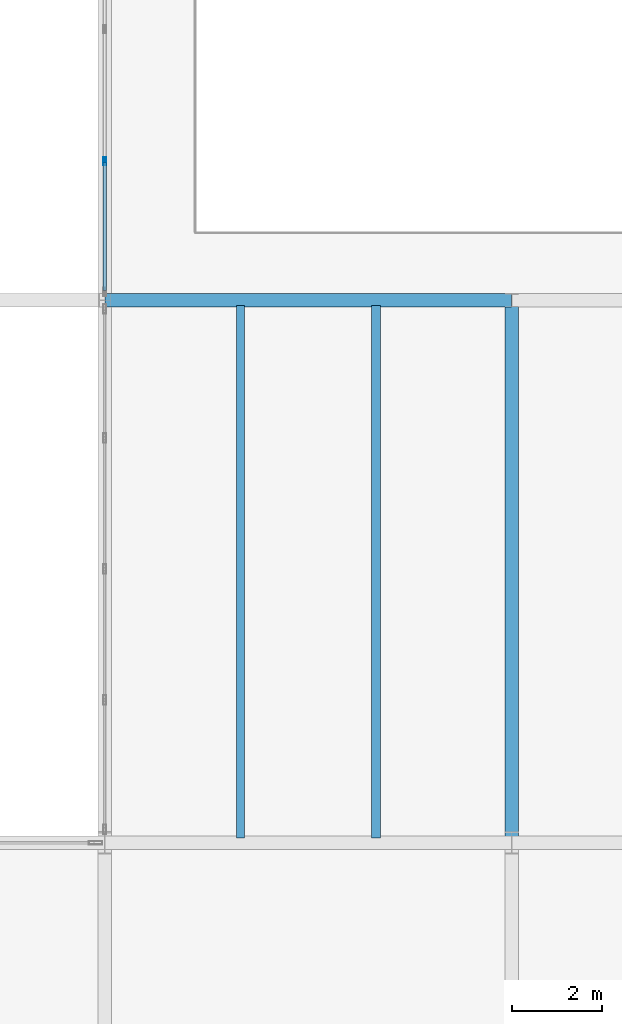
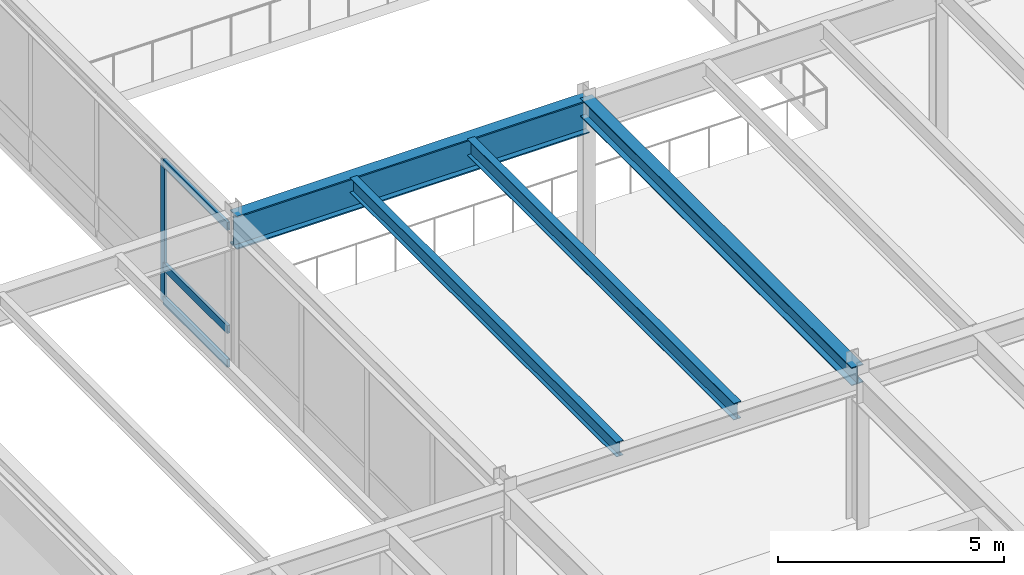
# One storey, part 32 of 127: 4 beams, 4 members, 1 element without a shape of its own.
"""IFC4 building model written with IfcOpenShell, lengths in metres."""

import ifcopenshell
import ifcopenshell.guid

model = None  # the IFC model being written
_history = None  # IfcOwnerHistory: only IFC2X3 demands one
_inside = {}  # id of a spatial element -> (the spatial element, [elements in it])
_under = {}  # id of a project, library or spatial element -> (it, [spatial elements below it])
_declared = {}  # id of a project -> (the project, [libraries it declares])
_typed = {}  # id of a type object -> (the type object, [elements of that type])
_made_of = {}  # id of a material, layer set ... -> (it, [elements and type objects made of it])


def new_model(schema):
    """Start an empty IFC model of exactly this schema.

    Asked for "IFC4X3", IfcOpenShell would pick the latest addendum, in which some entities
    have other attributes; the version numbers below select the first issue.
    IFC2X3 requires an IfcOwnerHistory on every rooted entity: one is made here for all.
    """
    global model, _history
    if schema == "IFC4X3":
        model = ifcopenshell.file(schema_version=(4, 3, 0, 0))
    else:
        model = ifcopenshell.file(schema=schema)
    _inside.clear()
    _under.clear()
    _declared.clear()
    _typed.clear()
    _made_of.clear()
    _history = None
    if model.schema == "IFC2X3":
        org = make("IfcOrganization", Name="unknown")
        user = make(
            "IfcPersonAndOrganization",
            ThePerson=make("IfcPerson", FamilyName="unknown"),
            TheOrganization=org,
        )
        app = make(
            "IfcApplication",
            ApplicationDeveloper=org,
            Version="unknown",
            ApplicationFullName="unknown",
            ApplicationIdentifier="unknown",
        )
        _history = make(
            "IfcOwnerHistory",
            OwningUser=user,
            OwningApplication=app,
            ChangeAction="ADDED",
            CreationDate=0,
        )
    return model


def make(cls, **values):
    """One entity of the class cls with the attributes given. An attribute that is None is left unset."""
    return model.create_entity(
        cls, **{name: value for name, value in values.items() if value is not None}
    )


def rooted(cls, **values):
    """An entity with a GlobalId (a new one), such as an element, a storey or a relation."""
    return make(cls, GlobalId=ifcopenshell.guid.new(), OwnerHistory=_history, **values)


def si_unit(unit_type, name, prefix=None):
    """IfcSIUnit, for example si_unit("LENGTHUNIT", "METRE", prefix="MILLI")."""
    return make("IfcSIUnit", UnitType=unit_type, Prefix=prefix, Name=name)


def assignment(units):
    """IfcUnitAssignment: the units of a project."""
    return None if units is None else make("IfcUnitAssignment", Units=units)


def point(xyz):
    """IfcCartesianPoint."""
    return None if xyz is None else make("IfcCartesianPoint", Coordinates=xyz)


def direction(xyz):
    """IfcDirection."""
    return None if xyz is None else make("IfcDirection", DirectionRatios=xyz)


def frame(location, z_axis=None, x_axis=None):
    """IfcAxis2Placement3D, a coordinate frame: its origin and axes. An axis left out is left unset."""
    return make(
        "IfcAxis2Placement3D",
        Location=point(location),
        Axis=direction(z_axis),
        RefDirection=direction(x_axis),
    )


def frame_2d(location, x_axis=None):
    """IfcAxis2Placement2D, a coordinate frame in the plane: its origin and x axis."""
    return make(
        "IfcAxis2Placement2D", Location=point(location), RefDirection=direction(x_axis)
    )


def origin():
    """The frame at (0, 0, 0) with its axes left unset."""
    return frame((0.0, 0.0, 0.0))


def origin_2d():
    """The frame at (0, 0) in the plane with its x axis left unset."""
    return frame_2d((0.0, 0.0))


def place(relative_to, where):
    """IfcLocalPlacement: puts the frame where relative to a parent placement (None: the world)."""
    return make(
        "IfcLocalPlacement", PlacementRelTo=relative_to, RelativePlacement=where
    )


def context(
    kind, dimensions, precision=None, world=None, true_north=None, identifier=None
):
    """IfcGeometricRepresentationContext, for example the 3D "Model" context."""
    return make(
        "IfcGeometricRepresentationContext",
        ContextIdentifier=identifier,
        ContextType=kind,
        CoordinateSpaceDimension=dimensions,
        Precision=precision,
        WorldCoordinateSystem=world,
        TrueNorth=true_north,
    )


def subcontext(parent, identifier, kind, view, scale=None):
    """IfcGeometricRepresentationSubContext, for example "Body" below "Model"."""
    return make(
        "IfcGeometricRepresentationSubContext",
        ContextIdentifier=identifier,
        ContextType=kind,
        ParentContext=parent,
        TargetScale=scale,
        TargetView=view,
    )


def project(units=None, contexts=None):
    """IfcProject with its units and contexts."""
    return rooted(
        "IfcProject",
        Name="project",
        RepresentationContexts=contexts,
        UnitsInContext=assignment(units),
    )


def spatial(cls, under=None, at=None, **own):
    """A site, building, storey or space (cls), placed at a placement, below another one or the project."""
    s = rooted(cls, ObjectPlacement=at, **own)
    if under is not None:
        _under.setdefault(under.id(), (under, []))[1].append(s)
    return s


def profile(cls, at=None, kind="AREA", **sizes):
    """A parametric profile (cls). Its sizes go by their IFC names, for example OverallWidth=200.0."""
    return make(cls, ProfileType=kind, Position=at, **sizes)


def hollow_rectangle(**sizes):
    """IfcRectangleHollowProfileDef."""
    return profile("IfcRectangleHollowProfileDef", **sizes)


def i_section(**sizes):
    """IfcIShapeProfileDef."""
    return profile("IfcIShapeProfileDef", **sizes)


def extrude(swept, where, along, depth):
    """IfcExtrudedAreaSolid: the profile swept, set in the frame where, extruded along a direction by depth."""
    return make(
        "IfcExtrudedAreaSolid",
        SweptArea=swept,
        Position=where,
        ExtrudedDirection=direction(along),
        Depth=depth,
    )


def shape(context_of_items, identifier, shape_type, items):
    """IfcShapeRepresentation: the items that make up one representation, for example the "Body"."""
    return make(
        "IfcShapeRepresentation",
        ContextOfItems=context_of_items,
        RepresentationIdentifier=identifier,
        RepresentationType=shape_type,
        Items=items,
    )


def material(Name=None, Category=None):
    """IfcMaterial."""
    return make("IfcMaterial", Name=Name, Category=Category)


def layer(
    of_material, thickness, ventilated=None, Name=None, Category=None, Priority=None
):
    """IfcMaterialLayer: one layer of a wall or slab, of a material (None: an air gap)."""
    return make(
        "IfcMaterialLayer",
        Material=of_material,
        LayerThickness=thickness,
        IsVentilated=ventilated,
        Name=Name,
        Category=Category,
        Priority=Priority,
    )


def layer_set(layers, Name=None):
    """IfcMaterialLayerSet."""
    return make("IfcMaterialLayerSet", MaterialLayers=layers, LayerSetName=Name)


def material_profile(
    of_material, cross_section, Name=None, Category=None, Priority=None
):
    """IfcMaterialProfile: a cross section and its material."""
    return make(
        "IfcMaterialProfile",
        Name=Name,
        Material=of_material,
        Profile=cross_section,
        Priority=Priority,
        Category=Category,
    )


def profile_set(profiles, Name=None, composite=None):
    """IfcMaterialProfileSet."""
    return make(
        "IfcMaterialProfileSet",
        Name=Name,
        MaterialProfiles=profiles,
        CompositeProfile=composite,
    )


def made_of(thing, what):
    """Note that an element or type object is made of a material, layer set ...; save() writes the relation."""
    if what is not None:
        _made_of.setdefault(what.id(), (what, []))[1].append(thing)
    return thing


def type_object(cls, material=None, **own):
    """A type object (cls), such as IfcWallType, which elements share."""
    return made_of(rooted(cls, **own), material)


def element(
    cls,
    number,
    at=None,
    inside=None,
    cuts=None,
    type_object=None,
    material=None,
    context=None,
    identifier="Body",
    shape_type=None,
    held_by="IfcProductDefinitionShape",
    body=None,
    shapes=None,
    **own,
):
    """One element of the class cls, such as IfcWall. Its Tag is "e" and its number.

    at: its placement. inside: the storey or other place that contains it. cuts: it is an
    opening in that element (IfcRelVoidsElement). A single representation is given by context,
    identifier, shape_type and body (its items); several are given by shapes. held_by: the class
    of the entity that holds the representations. save() writes the other relations.
    """
    e = rooted(cls, Tag="e%d" % number, ObjectPlacement=at, **own)
    if body is not None:
        shapes = [shape(context, identifier, shape_type, body)]
    if shapes is not None:
        e.Representation = make(held_by, Representations=shapes)
    if inside is not None:
        _inside.setdefault(inside.id(), (inside, []))[1].append(e)
    if cuts is not None:
        rooted(
            "IfcRelVoidsElement", RelatingBuildingElement=cuts, RelatedOpeningElement=e
        )
    if type_object is not None:
        _typed.setdefault(type_object.id(), (type_object, []))[1].append(e)
    return made_of(e, material)


def aggregate(whole, parts):
    """IfcRelAggregates: a whole, such as a stair, and the parts it consists of."""
    return rooted("IfcRelAggregates", RelatingObject=whole, RelatedObjects=parts)


def save(model, path):
    """Write the relations noted so far, then the file.

    IfcRelAggregates (storeys below a building ...), IfcRelContainedInSpatialStructure (elements
    in a storey), IfcRelDefinesByType, IfcRelAssociatesMaterial and IfcRelDeclares: one each for
    every whole, place, type object, material and project.
    """
    for whole, parts in _under.values():
        aggregate(whole, parts)
    for where, things in _inside.values():
        rooted(
            "IfcRelContainedInSpatialStructure",
            RelatedElements=things,
            RelatingStructure=where,
        )
    for kind, things in _typed.values():
        rooted("IfcRelDefinesByType", RelatedObjects=things, RelatingType=kind)
    for what, things in _made_of.values():
        rooted("IfcRelAssociatesMaterial", RelatedObjects=things, RelatingMaterial=what)
    for by, libraries in _declared.values():
        rooted("IfcRelDeclares", RelatingContext=by, RelatedDefinitions=libraries)
    model.write(path)


model = new_model("IFC4")

# Units and contexts
model_context = context("Model", 3, precision=1e-05, world=origin(), true_north=direction((0.0, 1.0)))
body_context = subcontext(model_context, "Body", "Model", "MODEL_VIEW")
ifc_project = project(units=[si_unit("LENGTHUNIT", "METRE"), si_unit("AREAUNIT", "SQUARE_METRE"), si_unit("VOLUMEUNIT", "CUBIC_METRE"), si_unit("PLANEANGLEUNIT", "RADIAN"), si_unit("MASSUNIT", "GRAM", prefix="KILO")], contexts=[model_context])

# Site, building, storey
site_placement = place(None, origin())
site = spatial("IfcSite", under=ifc_project, at=site_placement, CompositionType="ELEMENT")
building_placement = place(site_placement, origin())
building = spatial("IfcBuilding", under=site, at=building_placement, Name="Montelvaro Courts of Justice", CompositionType="ELEMENT")
storey_placement = place(building_placement, frame((0.0, 0.0, 5.39990234375)))
storey = spatial("IfcBuildingStorey", under=building, at=storey_placement, Name="L01", CompositionType="ELEMENT", Elevation=5.39990234375)

# Beams
ifc_material_1 = material(Name="Steel S355", Category="steel")
ifc_material_profile_1 = material_profile(ifc_material_1, i_section(OverallWidth=0.300048828125, OverallDepth=0.489990234375, WebThickness=0.011962890625, FlangeThickness=0.02294921875, at=origin_2d()), Name="HEA 500")
ifc_profile_set_1 = profile_set([ifc_material_profile_1], Name="Steel S355")
beam_type_1 = type_object("IfcBeamType", Name="Beam_HEA500", PredefinedType="USERDEFINED", material=ifc_profile_set_1)
beam_1_placement = place(storey_placement, frame((63.0, 42.0, 3.97509765625), z_axis=(0.0, 1.0, 0.0), x_axis=(-1.0, 0.0, 0.0)))
element("IfcBeam", 1, at=beam_1_placement, inside=storey, type_object=beam_type_1, Name="Beam B-19 L01", ObjectType="GIRDER", PredefinedType="USERDEFINED", context=body_context, shape_type="SweptSolid", body=[
    extrude(i_section(OverallWidth=0.300048828125, OverallDepth=0.489990234375, WebThickness=0.011962890625, FlangeThickness=0.02294921875, at=origin_2d()), origin(), (0.0, 0.0, 1.0), 12.0),
])
ifc_material_profile_2 = material_profile(ifc_material_1, i_section(OverallWidth=0.300048828125, OverallDepth=0.89990234375, WebThickness=0.0185546875, FlangeThickness=0.034912109375, at=origin_2d()), Name="HEB 900")
ifc_profile_set_2 = profile_set([ifc_material_profile_2], Name="Steel S355")
beam_type_2 = type_object("IfcBeamType", Name="Beam_HEB900", PredefinedType="USERDEFINED", material=ifc_profile_set_2)
beam_2_placement = place(storey_placement, frame((54.0, 54.0, 3.77001953125), z_axis=(1.0, 0.0, 0.0), x_axis=(0.0, 1.0, 0.0)))
element("IfcBeam", 2, at=beam_2_placement, inside=storey, type_object=beam_type_2, Name="Beam B-30 L01", ObjectType="GIRDER", PredefinedType="USERDEFINED", context=body_context, shape_type="SweptSolid", body=[
    extrude(i_section(OverallWidth=0.300048828125, OverallDepth=0.89990234375, WebThickness=0.0185546875, FlangeThickness=0.034912109375, at=origin_2d()), origin(), (0.0, 0.0, 1.0), 9.0),
])
ifc_material_profile_3 = material_profile(ifc_material_1, i_section(OverallWidth=0.179931640625, OverallDepth=0.39990234375, WebThickness=0.008544921875, FlangeThickness=0.013427734375, at=origin_2d()), Name="IPE 400")
ifc_profile_set_3 = profile_set([ifc_material_profile_3], Name="Steel S355")
beam_type_3 = type_object("IfcBeamType", Name="Beam_IPE400", PredefinedType="BEAM", material=ifc_profile_set_3)
beam_3_placement = place(storey_placement, frame((57.0, 42.110107421875, 4.02001953125), z_axis=(0.0, 1.0, 0.0), x_axis=(-1.0, 0.0, 0.0)))
element("IfcBeam", 3, at=beam_3_placement, inside=storey, type_object=beam_type_3, Name="Beam B-08 L01", PredefinedType="BEAM", context=body_context, shape_type="SweptSolid", body=[
    extrude(i_section(OverallWidth=0.179931640625, OverallDepth=0.39990234375, WebThickness=0.008544921875, FlangeThickness=0.013427734375, at=origin_2d()), origin(), (0.0, 0.0, 1.0), 11.77978515625),
])
ifc_material_profile_4 = material_profile(ifc_material_1, i_section(OverallWidth=0.18994140625, OverallDepth=0.449951171875, WebThickness=0.009521484375, FlangeThickness=0.0146484375, at=origin_2d()), Name="IPE 450")
ifc_profile_set_4 = profile_set([ifc_material_profile_4], Name="Steel S355")
beam_type_4 = type_object("IfcBeamType", Name="Beam_IPE450", PredefinedType="BEAM", material=ifc_profile_set_4)
beam_4_placement = place(storey_placement, frame((60.0, 42.110107421875, 3.9951171875), z_axis=(0.0, 1.0, 0.0), x_axis=(-1.0, 0.0, 0.0)))
element("IfcBeam", 4, at=beam_4_placement, inside=storey, type_object=beam_type_4, Name="Beam B-09 L01", PredefinedType="BEAM", context=body_context, shape_type="SweptSolid", body=[
    extrude(i_section(OverallWidth=0.18994140625, OverallDepth=0.449951171875, WebThickness=0.009521484375, FlangeThickness=0.0146484375, at=origin_2d()), origin(), (0.0, 0.0, 1.0), 11.77978515625),
])

# Curtain wall, members
ifc_material_2 = material(Name="Anodised aluminium EN AW-6063", Category="aluminium")
ifc_layer = layer(ifc_material_2, 0.159912109375)
ifc_layer_set = layer_set([ifc_layer], Name="Anodised aluminium EN AW-6063")
curtain_wall_type = type_object("IfcCurtainWallType", Name="CurtainWall_24_1169x418", PredefinedType="USERDEFINED", material=ifc_layer_set)
curtain_wall_placement = place(storey_placement, origin())
curtain_wall = element("IfcCurtainWall", 5, at=curtain_wall_placement, inside=storey, type_object=curtain_wall_type, Name="Curtain Wall CW-24 (L01)", ObjectType="CURTAIN WALL", PredefinedType="USERDEFINED")
ifc_material_profile_5 = material_profile(ifc_material_2, hollow_rectangle(XDim=0.06005859375, YDim=0.179931640625, WallThickness=0.00439453125, at=origin_2d()), Name="ALU-M 60x180")
ifc_profile_set_5 = profile_set([ifc_material_profile_5], Name="Anodised aluminium EN AW-6063")
member_type_1 = type_object("IfcMemberType", Name="CurtainWall_Mullion_60x180", PredefinedType="MULLION", material=ifc_profile_set_5)
member_1_placement = place(storey_placement, frame((54.0, 57.077392578125, 0.0), z_axis=(0.0, 0.0, 1.0), x_axis=(1.0, 0.0, 0.0)))
member_1 = element("IfcMember", 6, at=member_1_placement, type_object=member_type_1, Name="CW-24 mullion 4", PredefinedType="MULLION", context=body_context, shape_type="SweptSolid", body=[
    extrude(hollow_rectangle(XDim=0.06005859375, YDim=0.179931640625, WallThickness=0.00439453125, at=origin_2d()), origin(), (0.0, 0.0, 1.0), 3.775146484375),
])
ifc_material_profile_6 = material_profile(ifc_material_2, hollow_rectangle(XDim=0.074951171875, YDim=0.219970703125, WallThickness=0.005615234375, at=origin_2d()), Name="ALU-T 75x220")
ifc_profile_set_6 = profile_set([ifc_material_profile_6], Name="Anodised aluminium EN AW-6063")
member_type_2 = type_object("IfcMemberType", Name="CurtainWall_Transom_75x220", PredefinedType="USERDEFINED", material=ifc_profile_set_6)
member_2_placement = place(storey_placement, frame((54.0, 57.047607421875, 0.03759765625), z_axis=(0.0, -1.0, 0.0), x_axis=(1.0, 0.0, 0.0)))
member_2 = element("IfcMember", 7, at=member_2_placement, type_object=member_type_2, Name="CW-24 transom 4.1", ObjectType="TRANSOM", PredefinedType="USERDEFINED", context=body_context, shape_type="SweptSolid", body=[
    extrude(hollow_rectangle(XDim=0.074951171875, YDim=0.219970703125, WallThickness=0.005615234375, at=origin_2d()), origin(), (0.0, 0.0, 1.0), 2.83251953125),
])
member_3_placement = place(storey_placement, frame((54.0, 57.047607421875, 0.9501953125), z_axis=(0.0, -1.0, 0.0), x_axis=(1.0, 0.0, 0.0)))
member_3 = element("IfcMember", 8, at=member_3_placement, type_object=member_type_2, Name="CW-24 transom 4.2", ObjectType="TRANSOM", PredefinedType="USERDEFINED", context=body_context, shape_type="SweptSolid", body=[
    extrude(hollow_rectangle(XDim=0.074951171875, YDim=0.219970703125, WallThickness=0.005615234375, at=origin_2d()), origin(), (0.0, 0.0, 1.0), 2.83251953125),
])
member_4_placement = place(storey_placement, frame((54.0, 57.047607421875, 3.737548828125), z_axis=(0.0, -1.0, 0.0), x_axis=(1.0, 0.0, 0.0)))
member_4 = element("IfcMember", 9, at=member_4_placement, type_object=member_type_2, Name="CW-24 transom 4.3", ObjectType="TRANSOM", PredefinedType="USERDEFINED", context=body_context, shape_type="SweptSolid", body=[
    extrude(hollow_rectangle(XDim=0.074951171875, YDim=0.219970703125, WallThickness=0.005615234375, at=origin_2d()), origin(), (0.0, 0.0, 1.0), 2.83251953125),
])
aggregate(curtain_wall, [member_1, member_2, member_3, member_4])

save(model, "model.ifc")
